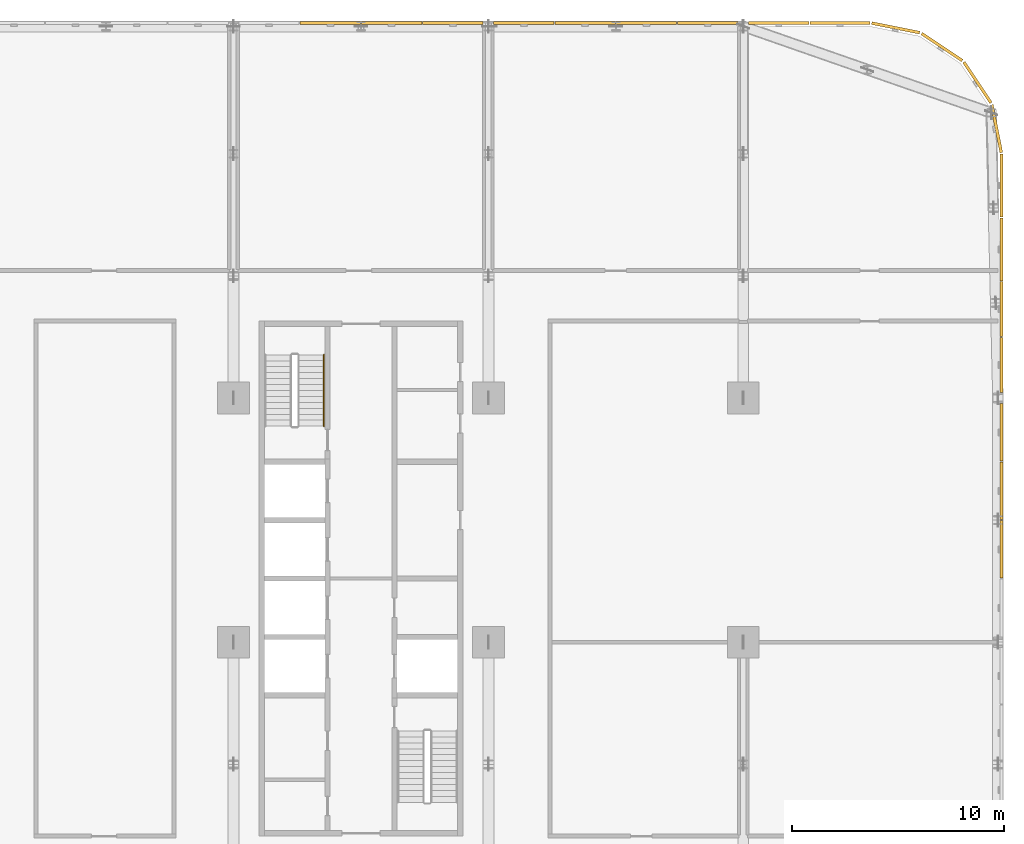
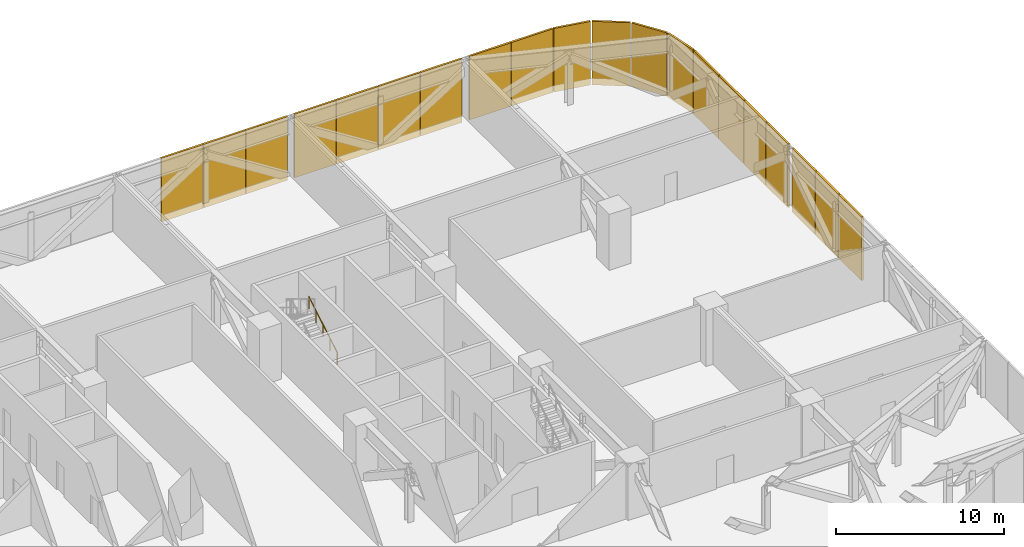
# One storey, part 26 of 26: 20 coverings, 1 railing.
"""IFC4 building model written with IfcOpenShell, lengths in metres."""

from ifc_helpers import new_model, si_unit, direction, frame, origin, origin_2d, place, context, subcontext, project, spatial, rectangle, circle, extrude, material, type_object, element, save


model = new_model("IFC4")

# Units and contexts
model_context = context("Model", 3, precision=1e-05, world=origin(), true_north=direction((0.0, 1.0)))
body_context = subcontext(model_context, "Body", "Model", "MODEL_VIEW")
ifc_project = project(units=[si_unit("LENGTHUNIT", "METRE"), si_unit("AREAUNIT", "SQUARE_METRE"), si_unit("VOLUMEUNIT", "CUBIC_METRE"), si_unit("PLANEANGLEUNIT", "RADIAN"), si_unit("MASSUNIT", "GRAM", prefix="KILO")], contexts=[model_context])

# Site, building, storey
site_placement = place(None, origin())
site = spatial("IfcSite", under=ifc_project, at=site_placement, CompositionType="ELEMENT")
building_placement = place(site_placement, origin())
building = spatial("IfcBuilding", under=site, at=building_placement, Name="Mahtab Terrace Research Tower", CompositionType="ELEMENT")
storey_placement = place(building_placement, frame((0.0, 0.0, 80.39990234375)))
storey = spatial("IfcBuildingStorey", under=building, at=storey_placement, Name="L18", CompositionType="ELEMENT", Elevation=80.39990234375)

# Coverings
ifc_material_1 = material(Name="Natural anodised aluminium", Category="aluminium")
covering_type = type_object("IfcCoveringType", Name="Plant storey louvre bay", PredefinedType="CLADDING", material=ifc_material_1)
for number, where, z_axis, x_axis, name in (
    (1, (54.159912109375, 18.5, -0.5498046875), (0.0, 0.0, 1.0), (0.0, 1.0, 0.0), "Louvre bay L18 1"),
    (2, (54.159912109375, 21.5, -0.5498046875), (0.0, 0.0, 1.0), (0.0, 1.0, 0.0), "Louvre bay L18 2"),
):
    element("IfcCovering", number, at=place(storey_placement, frame(where, z_axis=z_axis, x_axis=x_axis)), inside=storey, type_object=covering_type, Name=name, PredefinedType="CLADDING", context=body_context, shape_type="SweptSolid", body=[
        extrude(rectangle(XDim=2.9599609375, YDim=0.139892578125, at=origin_2d()), origin(), (0.0, 0.0, 1.0), 4.610107421875),
    ])
for number, where, z_axis, x_axis, name in (
    (3, (53.928466796875, 24.17919921875, -0.5498046875), (0.0, 0.0, 1.0), (-0.195212442692, 0.980760981187, 0.0), "Louvre bay L18 3"),
    (4, (53.026123046875, 26.3583984375, -0.5498046875), (0.0, 0.0, 1.0), (-0.555291490808, 0.831655794326, 0.0), "Louvre bay L18 4"),
    (5, (51.3583984375, 28.026123046875, -0.5498046875), (0.0, 0.0, 1.0), (-0.831655794326, 0.555291490808, 0.0), "Louvre bay L18 5"),
    (6, (49.17919921875, 28.928466796875, -0.5498046875), (0.0, 0.0, 1.0), (-0.980760981187, 0.195212442692, 0.0), "Louvre bay L18 6"),
):
    element("IfcCovering", number, at=place(storey_placement, frame(where, z_axis=z_axis, x_axis=x_axis)), inside=storey, type_object=covering_type, Name=name, PredefinedType="CLADDING", context=body_context, shape_type="SweptSolid", body=[
        extrude(rectangle(XDim=2.301025390625, YDim=0.139892578125, at=origin_2d()), origin(), (0.0, 0.0, 1.0), 4.610107421875),
    ])
for number, where, z_axis, x_axis, name in (
    (7, (46.556884765625, 29.159912109375, -0.5498046875), (0.0, 0.0, 1.0), (-1.0, 0.0, 0.0), "Louvre bay L18 7"),
    (8, (43.6708984375, 29.159912109375, -0.5498046875), (0.0, 0.0, 1.0), (-1.0, 0.0, 0.0), "Louvre bay L18 8"),
    (9, (40.3291015625, 29.159912109375, -0.5498046875), (0.0, 0.0, 1.0), (-1.0, 0.0, 0.0), "Louvre bay L18 9"),
    (10, (37.443115234375, 29.159912109375, -0.5498046875), (0.0, 0.0, 1.0), (-1.0, 0.0, 0.0), "Louvre bay L18 10"),
    (11, (34.556884765625, 29.159912109375, -0.5498046875), (0.0, 0.0, 1.0), (-1.0, 0.0, 0.0), "Louvre bay L18 11"),
    (12, (31.6708984375, 29.159912109375, -0.5498046875), (0.0, 0.0, 1.0), (-1.0, 0.0, 0.0), "Louvre bay L18 12"),
    (13, (28.3291015625, 29.159912109375, -0.5498046875), (0.0, 0.0, 1.0), (-1.0, 0.0, 0.0), "Louvre bay L18 13"),
    (14, (25.443115234375, 29.159912109375, -0.5498046875), (0.0, 0.0, 1.0), (-1.0, 0.0, 0.0), "Louvre bay L18 14"),
    (15, (22.556884765625, 29.159912109375, -0.5498046875), (0.0, 0.0, 1.0), (-1.0, 0.0, 0.0), "Louvre bay L18 15"),
):
    element("IfcCovering", number, at=place(storey_placement, frame(where, z_axis=z_axis, x_axis=x_axis)), inside=storey, type_object=covering_type, Name=name, PredefinedType="CLADDING", context=body_context, shape_type="SweptSolid", body=[
        extrude(rectangle(XDim=2.845947265625, YDim=0.139892578125, at=origin_2d()), origin(), (0.0, 0.0, 1.0), 4.610107421875),
    ])
for number, where, z_axis, x_axis, name in (
    (16, (54.159912109375, 4.3720703125, -0.5498046875), (0.0, 0.0, 1.0), (0.0, 1.0, 0.0), "Louvre bay L18 94"),
    (17, (54.159912109375, 7.1279296875, -0.5498046875), (0.0, 0.0, 1.0), (0.0, 1.0, 0.0), "Louvre bay L18 95"),
    (18, (54.159912109375, 9.884033203125, -0.5498046875), (0.0, 0.0, 1.0), (0.0, 1.0, 0.0), "Louvre bay L18 96"),
):
    element("IfcCovering", number, at=place(storey_placement, frame(where, z_axis=z_axis, x_axis=x_axis)), inside=storey, type_object=covering_type, Name=name, PredefinedType="CLADDING", context=body_context, shape_type="SweptSolid", body=[
        extrude(rectangle(XDim=2.716064453125, YDim=0.139892578125, at=origin_2d()), origin(), (0.0, 0.0, 1.0), 4.610107421875),
    ])
for number, where, z_axis, x_axis, name in (
    (19, (54.159912109375, 13.053466796875, -0.5498046875), (0.0, 0.0, 1.0), (0.0, 1.0, 0.0), "Louvre bay L18 97"),
    (20, (54.159912109375, 15.6845703125, -0.5498046875), (0.0, 0.0, 1.0), (0.0, 1.0, 0.0), "Louvre bay L18 98"),
):
    element("IfcCovering", number, at=place(storey_placement, frame(where, z_axis=z_axis, x_axis=x_axis)), inside=storey, type_object=covering_type, Name=name, PredefinedType="CLADDING", context=body_context, shape_type="SweptSolid", body=[
        extrude(rectangle(XDim=2.591064453125, YDim=0.139892578125, at=origin_2d()), origin(), (0.0, 0.0, 1.0), 4.610107421875),
    ])

# Railing
ifc_material_2 = material(Name="Stainless steel AISI 304", Category="steel")
railing_type = type_object("IfcRailingType", Name="Stair handrail 900", PredefinedType="HANDRAIL", material=ifc_material_2)
railing_placement = place(storey_placement, frame((22.25, 10.175048828125, 0.16943359375)))
element("IfcRailing", 21, at=railing_placement, inside=storey, type_object=railing_type, Name="L18 ST3 stair handrail 1", PredefinedType="HANDRAIL", context=body_context, shape_type="SweptSolid", body=[
    extrude(circle(Radius=0.02392578125, at=origin_2d()), frame((0.0, 0.0, 0.8759765625), z_axis=(0.0, 0.855820338506, 0.51727318527), x_axis=(-1.0, 0.0, 0.0)), (0.0, 0.0, 1.0), 3.92578125),
    extrude(circle(Radius=0.02099609375, at=origin_2d()), origin(), (0.0, 0.0, 1.0), 0.851806640625),
    extrude(circle(Radius=0.02099609375, at=origin_2d()), frame((0.0, 0.83984375, 0.5078125)), (0.0, 0.0, 1.0), 0.851806640625),
    extrude(circle(Radius=0.02099609375, at=origin_2d()), frame((0.0, 1.679931640625, 1.015380859375)), (0.0, 0.0, 1.0), 0.851806640625),
    extrude(circle(Radius=0.02099609375, at=origin_2d()), frame((0.0, 2.52001953125, 1.52294921875)), (0.0, 0.0, 1.0), 0.851806640625),
    extrude(circle(Radius=0.02099609375, at=origin_2d()), frame((0.0, 3.35986328125, 2.03076171875)), (0.0, 0.0, 1.0), 0.851806640625),
])

save(model, "model.ifc")
